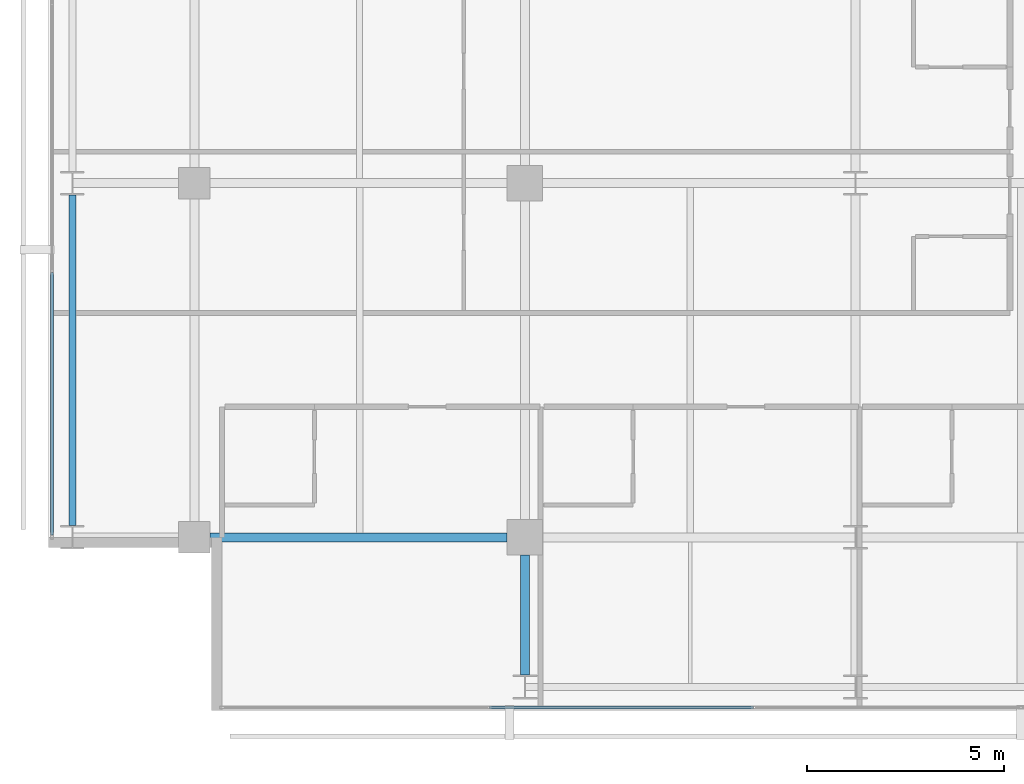
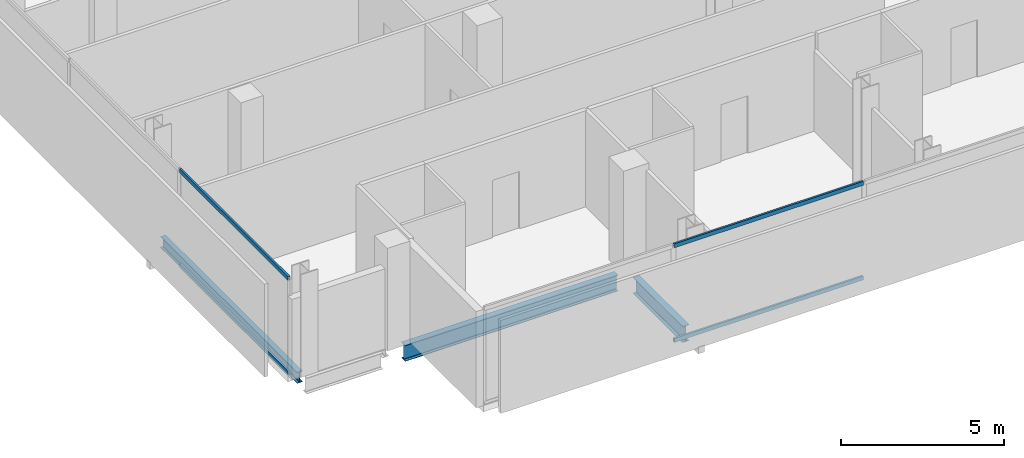
# One storey, part 3 of 34: 4 members, 3 beams, 2 elements without a shape of their own.
"""IFC4 building model written with IfcOpenShell, lengths in metres."""

from ifc_helpers import new_model, si_unit, direction, frame, origin, origin_2d, place, context, subcontext, project, spatial, hollow_rectangle, i_section, extrude, material, layer, layer_set, material_profile, profile_set, type_object, element, aggregate, save


model = new_model("IFC4")

# Units and contexts
model_context = context("Model", 3, precision=1e-05, world=origin(), true_north=direction((0.0, 1.0)))
body_context = subcontext(model_context, "Body", "Model", "MODEL_VIEW")
ifc_project = project(units=[si_unit("LENGTHUNIT", "METRE"), si_unit("AREAUNIT", "SQUARE_METRE"), si_unit("VOLUMEUNIT", "CUBIC_METRE"), si_unit("PLANEANGLEUNIT", "RADIAN"), si_unit("MASSUNIT", "GRAM", prefix="KILO")], contexts=[model_context])

# Site, building, storey
site_placement = place(None, origin())
site = spatial("IfcSite", under=ifc_project, at=site_placement, CompositionType="ELEMENT")
building_placement = place(site_placement, origin())
building = spatial("IfcBuilding", under=site, at=building_placement, Name="Maruvema Waterfront Hotel and Observation Tower", CompositionType="ELEMENT")
storey_placement = place(building_placement, frame((0.0, 0.0, 181.300048828125)))
storey = spatial("IfcBuildingStorey", under=building, at=storey_placement, Name="L44", CompositionType="ELEMENT", Elevation=181.300048828125)

# Curtain wall, members
ifc_material_1 = material(Name="Anodised bronze aluminium and solar-control low-E IGU", Category="aluminium")
ifc_layer = layer(ifc_material_1, 0.159912109375, Name="Zone 2 Amber Inner Thermal Curtain Wall System CW-03")
ifc_layer_set = layer_set([ifc_layer], Name="Anodised bronze aluminium and solar-control low-E IGU")
curtain_wall_type = type_object("IfcCurtainWallType", Name="Zone 2 Amber Inner Thermal Curtain Wall System CW-03", PredefinedType="USERDEFINED", material=ifc_layer_set)
curtain_wall_1_placement = place(storey_placement, origin())
curtain_wall_1 = element("IfcCurtainWall", 1, at=curtain_wall_1_placement, inside=storey, type_object=curtain_wall_type, Name="L44 Curtain Wall CW-L44-S", ObjectType="UNITISED CURTAIN WALL", PredefinedType="USERDEFINED")
ifc_material_2 = material(Name="Anodised architectural bronze aluminium", Category="aluminium")
ifc_material_profile_1 = material_profile(ifc_material_2, hollow_rectangle(XDim=0.070068359375, YDim=0.14990234375, WallThickness=0.00390625, at=origin_2d()), Name="ALU-T70x150")
ifc_profile_set_1 = profile_set([ifc_material_profile_1], Name="Anodised architectural bronze aluminium")
member_type = type_object("IfcMemberType", Name="Curtain Wall Horizontal Transom ALU-T70x150", PredefinedType="USERDEFINED", material=ifc_profile_set_1)
member_1_placement = place(storey_placement, frame((24.296630859375, 4.679931640625, 0.030029296875), z_axis=(1.0, 0.0, 0.0), x_axis=(0.0, 1.0, 0.0)))
member_1 = element("IfcMember", 2, at=member_1_placement, type_object=member_type, Name="CW-03 transom 2.1", ObjectType="TRANSOM", PredefinedType="USERDEFINED", context=body_context, shape_type="SweptSolid", body=[
    extrude(hollow_rectangle(XDim=0.070068359375, YDim=0.14990234375, WallThickness=0.00390625, at=origin_2d()), origin(), (0.0, 0.0, 1.0), 6.706787109375),
])
member_2_placement = place(storey_placement, frame((24.296630859375, 4.679931640625, 3.579833984375), z_axis=(1.0, 0.0, 0.0), x_axis=(0.0, 1.0, 0.0)))
member_2 = element("IfcMember", 3, at=member_2_placement, type_object=member_type, Name="CW-03 transom 2.2", ObjectType="TRANSOM", PredefinedType="USERDEFINED", context=body_context, shape_type="SweptSolid", body=[
    extrude(hollow_rectangle(XDim=0.070068359375, YDim=0.14990234375, WallThickness=0.00390625, at=origin_2d()), origin(), (0.0, 0.0, 1.0), 6.706787109375),
])
aggregate(curtain_wall_1, [member_1, member_2])

curtain_wall_2_placement = place(storey_placement, origin())
curtain_wall_2 = element("IfcCurtainWall", 4, at=curtain_wall_2_placement, inside=storey, type_object=curtain_wall_type, Name="L44 Curtain Wall CW-L44-W", ObjectType="UNITISED CURTAIN WALL", PredefinedType="USERDEFINED")
member_3_placement = place(storey_placement, frame((13.179931640625, 15.736572265625, 0.030029296875), z_axis=(0.0, -1.0, 0.0), x_axis=(1.0, 0.0, 0.0)))
member_3 = element("IfcMember", 5, at=member_3_placement, type_object=member_type, Name="CW-03 transom 6.1", ObjectType="TRANSOM", PredefinedType="USERDEFINED", context=body_context, shape_type="SweptSolid", body=[
    extrude(hollow_rectangle(XDim=0.070068359375, YDim=0.14990234375, WallThickness=0.00390625, at=origin_2d()), origin(), (0.0, 0.0, 1.0), 6.676513671875),
])
member_4_placement = place(storey_placement, frame((13.179931640625, 15.736572265625, 3.579833984375), z_axis=(0.0, -1.0, 0.0), x_axis=(1.0, 0.0, 0.0)))
member_4 = element("IfcMember", 6, at=member_4_placement, type_object=member_type, Name="CW-03 transom 6.2", ObjectType="TRANSOM", PredefinedType="USERDEFINED", context=body_context, shape_type="SweptSolid", body=[
    extrude(hollow_rectangle(XDim=0.070068359375, YDim=0.14990234375, WallThickness=0.00390625, at=origin_2d()), origin(), (0.0, 0.0, 1.0), 6.676513671875),
])
aggregate(curtain_wall_2, [member_3, member_4])

# Beams
ifc_material_3 = material(Name="Steel ASTM A572 Grade 50", Category="steel")
ifc_material_profile_2 = material_profile(ifc_material_3, i_section(OverallWidth=0.180908203125, OverallDepth=0.4169921875, WebThickness=0.010986328125, FlangeThickness=0.018310546875, FilletRadius=0.014892578125, at=origin_2d()), Name="W410x85.0")
ifc_profile_set_2 = profile_set([ifc_material_profile_2], Name="Steel ASTM A572 Grade 50")
beam_type_1 = type_object("IfcBeamType", Name="Perimeter Spandrel Beam W410x85.0", PredefinedType="SPANDREL", material=ifc_profile_set_2)
beam_1_placement = place(storey_placement, frame((13.699951171875, 9.300048828125, -0.448486328125), z_axis=(0.0, 1.0, 0.0), x_axis=(-1.0, 0.0, 0.0)))
element("IfcBeam", 7, at=beam_1_placement, inside=storey, type_object=beam_type_1, Name="L44 Floor Girder NS-01", PredefinedType="SPANDREL", context=body_context, shape_type="SweptSolid", body=[
    extrude(i_section(OverallWidth=0.180908203125, OverallDepth=0.4169921875, WebThickness=0.010986328125, FlangeThickness=0.018310546875, FilletRadius=0.014892578125, at=origin_2d()), origin(), (0.0, 0.0, 1.0), 8.39990234375),
])
ifc_material_4 = material(Name="Steel ASTM A572 Grade 50", Category="steel")
ifc_material_profile_3 = material_profile(ifc_material_4, i_section(OverallWidth=0.22802734375, OverallDepth=0.60302734375, WebThickness=0.010498046875, FlangeThickness=0.014892578125, FilletRadius=0.01806640625, at=origin_2d()), Name="W610x101.0")
ifc_profile_set_3 = profile_set([ifc_material_profile_3], Name="Steel ASTM A572 Grade 50")
beam_type_2 = type_object("IfcBeamType", Name="Primary Floor Girder W610x101.0", PredefinedType="BEAM", material=ifc_profile_set_3)
beam_2_placement = place(storey_placement, frame((17.199951171875, 9.0, -0.54150390625), z_axis=(1.0, 0.0, 0.0), x_axis=(0.0, 1.0, 0.0)))
element("IfcBeam", 8, at=beam_2_placement, inside=storey, type_object=beam_type_2, Name="L44 Floor Girder EW-05", PredefinedType="BEAM", context=body_context, shape_type="SweptSolid", body=[
    extrude(i_section(OverallWidth=0.22802734375, OverallDepth=0.60302734375, WebThickness=0.010498046875, FlangeThickness=0.014892578125, FilletRadius=0.01806640625, at=origin_2d()), origin(), (0.0, 0.0, 1.0), 7.550048828125),
])
beam_3_placement = place(storey_placement, frame((25.199951171875, 5.5, -0.54150390625), z_axis=(0.0, 1.0, 0.0), x_axis=(-1.0, 0.0, 0.0)))
element("IfcBeam", 9, at=beam_3_placement, inside=storey, type_object=beam_type_2, Name="L44 Floor Girder NS-09", PredefinedType="BEAM", context=body_context, shape_type="SweptSolid", body=[
    extrude(i_section(OverallWidth=0.22802734375, OverallDepth=0.60302734375, WebThickness=0.010498046875, FlangeThickness=0.014892578125, FilletRadius=0.01806640625, at=origin_2d()), origin(), (0.0, 0.0, 1.0), 3.050048828125),
])

save(model, "model.ifc")
